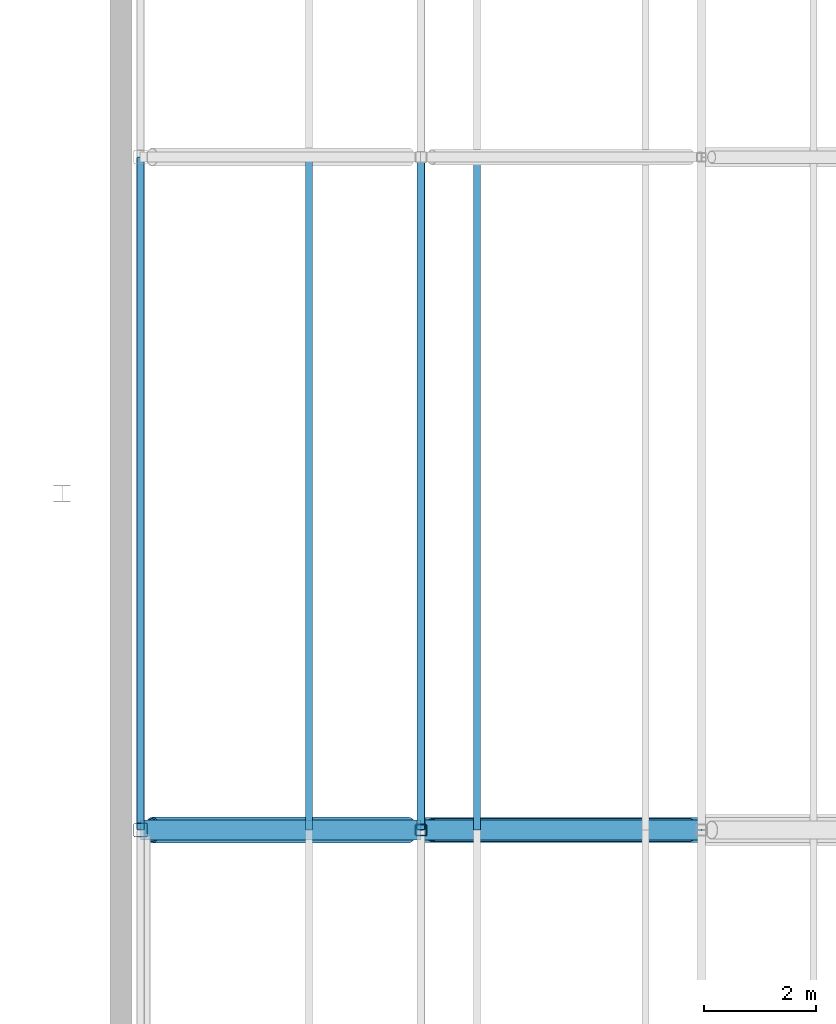
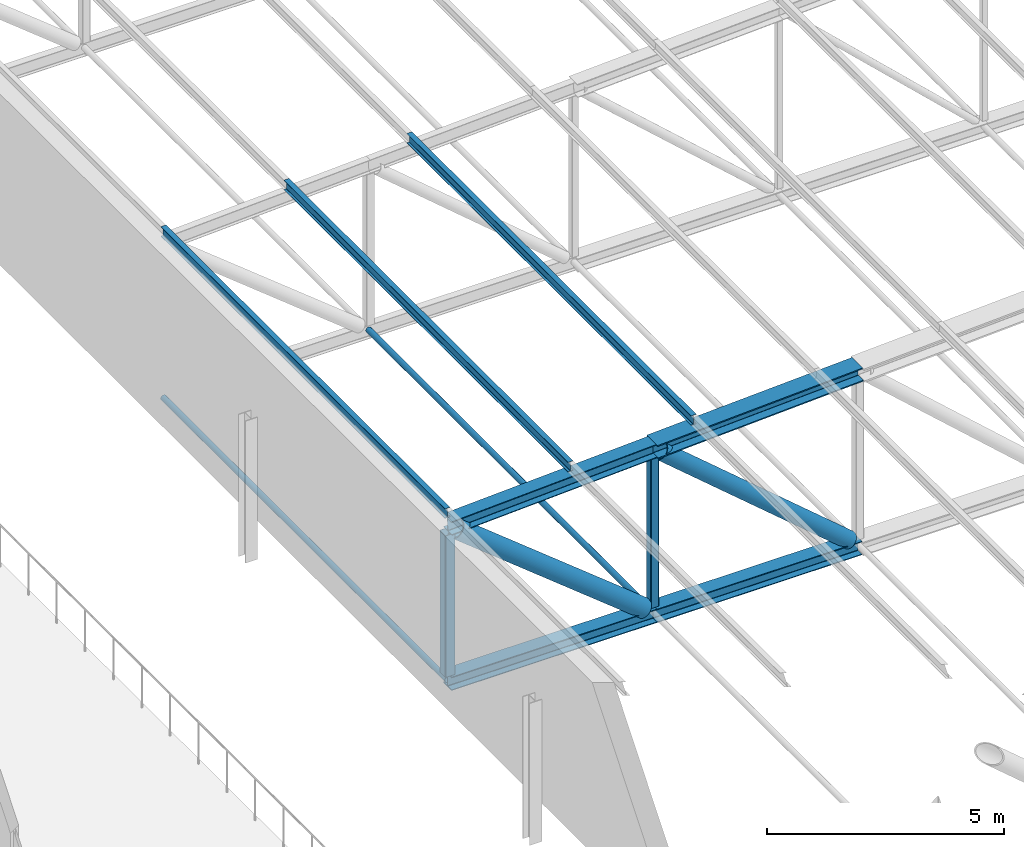
# One storey, part 66 of 156: 13 members.
"""IFC4 building model written with IfcOpenShell, lengths in metres."""

from ifc_helpers import new_model, si_unit, direction, frame, origin, origin_2d, place, context, subcontext, project, spatial, hollow_rectangle, hollow_circle, i_section, extrude, material, material_profile, profile_set, type_object, element, save


model = new_model("IFC4")

# Units and contexts
model_context = context("Model", 3, precision=1e-05, world=origin(), true_north=direction((0.0, 1.0)))
body_context = subcontext(model_context, "Body", "Model", "MODEL_VIEW")
ifc_project = project(units=[si_unit("LENGTHUNIT", "METRE"), si_unit("AREAUNIT", "SQUARE_METRE"), si_unit("VOLUMEUNIT", "CUBIC_METRE"), si_unit("PLANEANGLEUNIT", "RADIAN"), si_unit("MASSUNIT", "GRAM", prefix="KILO")], contexts=[model_context])

# Site, building, storey
site_placement = place(None, origin())
site = spatial("IfcSite", under=ifc_project, at=site_placement, CompositionType="ELEMENT")
building_placement = place(site_placement, origin())
building = spatial("IfcBuilding", under=site, at=building_placement, Name="Lilac Gate Convention Centre", CompositionType="ELEMENT")
storey_placement = place(building_placement, frame((0.0, 0.0, 17.0)))
storey = spatial("IfcBuildingStorey", under=building, at=storey_placement, Name="L03", CompositionType="ELEMENT", Elevation=17.0)

# Members
ifc_material = material(Name="Steel Q355B", Category="steel")
ifc_material_profile_1 = material_profile(ifc_material, hollow_circle(Radius=0.06982421875, WallThickness=0.0048828125, at=origin_2d()), Name="CHS139.7x5")
ifc_profile_set_1 = profile_set([ifc_material_profile_1], Name="Steel Q355B")
member_type_1 = type_object("IfcMemberType", Name="Bottom chord tie CHS139.7x5", PredefinedType="STRUT", material=ifc_profile_set_1)
for number, where, z_axis, x_axis, name in (
    (1, (30.0, 150.006103515625, 0.0), (0.0, 1.0, 0.0), (-1.0, 0.0, 0.0), "ST1 tie bay 11 node 1"),
    (2, (35.0, 150.006103515625, 0.0), (0.0, 1.0, 0.0), (-1.0, 0.0, 0.0), "ST1 tie bay 11 node 2"),
):
    element("IfcMember", number, at=place(storey_placement, frame(where, z_axis=z_axis, x_axis=x_axis)), inside=storey, type_object=member_type_1, Name=name, PredefinedType="STRUT", context=body_context, shape_type="SweptSolid", body=[
        extrude(hollow_circle(Radius=0.06982421875, WallThickness=0.0048828125, at=origin_2d()), origin(), (0.0, 0.0, 1.0), 11.990478515625),
    ])
ifc_material_profile_2 = material_profile(ifc_material, i_section(OverallWidth=0.125, OverallDepth=0.25, WebThickness=0.006103515625, FlangeThickness=0.009033203125, FilletRadius=0.008056640625, at=origin_2d()), Name="HN250x125x6x9")
ifc_profile_set_2 = profile_set([ifc_material_profile_2], Name="Steel Q355B")
member_type_2 = type_object("IfcMemberType", Name="Roof purlin HN250x125x6x9", PredefinedType="PURLIN", material=ifc_profile_set_2)
for number, where, z_axis, x_axis, name in (
    (3, (30.0, 150.0, 4.30029296875), (0.0, 1.0, 0.0), (-1.0, 0.0, 0.0), "PU2 purlin bay 11 line 1"),
    (4, (33.0, 150.0, 4.4501953125), (0.0, 1.0, 0.0), (-1.0, 0.0, 0.0), "PU2 purlin bay 11 line 2"),
    (5, (36.0, 150.0, 4.60009765625), (0.0, 1.0, 0.0), (-1.0, 0.0, 0.0), "PU2 purlin bay 11 line 3"),
):
    element("IfcMember", number, at=place(storey_placement, frame(where, z_axis=z_axis, x_axis=x_axis)), inside=storey, type_object=member_type_2, Name=name, PredefinedType="PURLIN", context=body_context, shape_type="SweptSolid", body=[
        extrude(i_section(OverallWidth=0.125, OverallDepth=0.25, WebThickness=0.006103515625, FlangeThickness=0.009033203125, FilletRadius=0.008056640625, at=origin_2d()), origin(), (0.0, 0.0, 1.0), 12.0),
    ])
ifc_material_profile_3 = material_profile(ifc_material, i_section(OverallWidth=0.35009765625, OverallDepth=0.35009765625, WebThickness=0.011962890625, FlangeThickness=0.01904296875, FilletRadius=0.012939453125, at=origin_2d()), Name="HW350x350x12x19")
ifc_profile_set_3 = profile_set([ifc_material_profile_3], Name="Steel Q355B")
member_type_3 = type_object("IfcMemberType", Name="Truss bottom chord HW350x350x12x19", PredefinedType="CHORD", material=ifc_profile_set_3)
member_1_placement = place(storey_placement, frame((30.0, 150.0, 0.0), z_axis=(1.0, 0.0, 0.0), x_axis=(0.0, 1.0, 0.0)))
element("IfcMember", 6, at=member_1_placement, inside=storey, type_object=member_type_3, Name="TB2 truss 11 bottom chord 1", PredefinedType="CHORD", context=body_context, shape_type="SweptSolid", body=[
    extrude(i_section(OverallWidth=0.35009765625, OverallDepth=0.35009765625, WebThickness=0.011962890625, FlangeThickness=0.01904296875, FilletRadius=0.012939453125, at=origin_2d()), origin(), (0.0, 0.0, 1.0), 5.0),
])
ifc_material_profile_4 = material_profile(ifc_material, i_section(OverallWidth=0.35693359375, OverallDepth=0.35009765625, WebThickness=0.01904296875, FlangeThickness=0.01904296875, FilletRadius=0.012939453125, at=origin_2d()), Name="HW350x357x19x19")
ifc_profile_set_4 = profile_set([ifc_material_profile_4], Name="Steel Q355B")
member_type_4 = type_object("IfcMemberType", Name="Truss bottom chord HW350x357x19x19", PredefinedType="CHORD", material=ifc_profile_set_4)
member_2_placement = place(storey_placement, frame((35.0, 150.0, 0.0), z_axis=(1.0, 0.0, 0.0), x_axis=(0.0, 1.0, 0.0)))
element("IfcMember", 7, at=member_2_placement, inside=storey, type_object=member_type_4, Name="TB3 truss 11 bottom chord 2", PredefinedType="CHORD", context=body_context, shape_type="SweptSolid", body=[
    extrude(i_section(OverallWidth=0.35693359375, OverallDepth=0.35009765625, WebThickness=0.01904296875, FlangeThickness=0.01904296875, FilletRadius=0.012939453125, at=origin_2d()), origin(), (0.0, 0.0, 1.0), 5.0),
])
ifc_material_profile_5 = material_profile(ifc_material, hollow_circle(Radius=0.203125, WallThickness=0.01611328125, at=origin_2d()), Name="CHS406.4x16")
ifc_profile_set_5 = profile_set([ifc_material_profile_5], Name="Steel Q355B")
member_type_5 = type_object("IfcMemberType", Name="Truss diagonal CHS406.4x16", PredefinedType="BRACE", material=ifc_profile_set_5)
member_3_placement = place(storey_placement, frame((35.193115234375, 150.0, 4.085693359375), z_axis=(0.761961263863, 0.0, -0.647622600263), x_axis=(0.0, 1.0, 0.0)))
element("IfcMember", 8, at=member_3_placement, inside=storey, type_object=member_type_5, Name="TW9 truss 11 diagonal 2", PredefinedType="BRACE", context=body_context, shape_type="SweptSolid", body=[
    extrude(hollow_circle(Radius=0.203125, WallThickness=0.01611328125, at=origin_2d()), origin(), (0.0, 0.0, 1.0), 6.03857421875),
])
ifc_material_profile_6 = material_profile(ifc_material, hollow_circle(Radius=0.228515625, WallThickness=0.02490234375, at=origin_2d()), Name="CHS457x25")
ifc_profile_set_6 = profile_set([ifc_material_profile_6], Name="Steel Q355B")
member_type_6 = type_object("IfcMemberType", Name="Truss diagonal CHS457x25", PredefinedType="BRACE", material=ifc_profile_set_6)
member_4_placement = place(storey_placement, frame((30.205322265625, 150.0, 3.835693359375), z_axis=(0.780876938611, 0.0, -0.624684885959), x_axis=(0.0, 1.0, 0.0)))
element("IfcMember", 9, at=member_4_placement, inside=storey, type_object=member_type_6, Name="TW8 truss 11 diagonal 1", PredefinedType="BRACE", context=body_context, shape_type="SweptSolid", body=[
    extrude(hollow_circle(Radius=0.228515625, WallThickness=0.02490234375, at=origin_2d()), origin(), (0.0, 0.0, 1.0), 5.860107421875),
])
ifc_material_profile_7 = material_profile(ifc_material, i_section(OverallWidth=0.35009765625, OverallDepth=0.35009765625, WebThickness=0.011962890625, FlangeThickness=0.01904296875, FilletRadius=0.012939453125, at=origin_2d()), Name="HW350x350x12x19")
ifc_profile_set_7 = profile_set([ifc_material_profile_7], Name="Steel Q355B")
member_type_7 = type_object("IfcMemberType", Name="Truss top chord HW350x350x12x19", PredefinedType="CHORD", material=ifc_profile_set_7)
member_5_placement = place(storey_placement, frame((30.0, 150.0, 4.0), z_axis=(0.998752338878, 0.0, 0.049937616944), x_axis=(0.0, 1.0, 0.0)))
element("IfcMember", 10, at=member_5_placement, inside=storey, type_object=member_type_7, Name="TT2 truss 11 top chord 1", PredefinedType="CHORD", context=body_context, shape_type="SweptSolid", body=[
    extrude(i_section(OverallWidth=0.35009765625, OverallDepth=0.35009765625, WebThickness=0.011962890625, FlangeThickness=0.01904296875, FilletRadius=0.012939453125, at=origin_2d()), origin(), (0.0, 0.0, 1.0), 5.00634765625),
])
ifc_material_profile_8 = material_profile(ifc_material, i_section(OverallWidth=0.449951171875, OverallDepth=0.35009765625, WebThickness=0.01611328125, FlangeThickness=0.028076171875, FilletRadius=0.008056640625, at=origin_2d()), Name="WH350x450x16x28")
ifc_profile_set_8 = profile_set([ifc_material_profile_8], Name="Steel Q355B")
member_type_8 = type_object("IfcMemberType", Name="Truss top chord WH350x450x16x28", PredefinedType="CHORD", material=ifc_profile_set_8)
member_6_placement = place(storey_placement, frame((35.0, 150.0, 4.25), z_axis=(0.998752338878, 0.0, 0.049937616944), x_axis=(0.0, 1.0, 0.0)))
element("IfcMember", 11, at=member_6_placement, inside=storey, type_object=member_type_8, Name="TT6 truss 11 top chord 2", PredefinedType="CHORD", context=body_context, shape_type="SweptSolid", body=[
    extrude(i_section(OverallWidth=0.449951171875, OverallDepth=0.35009765625, WebThickness=0.01611328125, FlangeThickness=0.028076171875, FilletRadius=0.008056640625, at=origin_2d()), origin(), (0.0, 0.0, 1.0), 5.00634765625),
])
ifc_material_profile_9 = material_profile(ifc_material, hollow_rectangle(XDim=0.199951171875, YDim=0.199951171875, WallThickness=0.008056640625, InnerFilletRadius=0.011962890625, OuterFilletRadius=0.02001953125, at=origin_2d()), Name="SHS200x200x8")
ifc_profile_set_9 = profile_set([ifc_material_profile_9], Name="Steel Q355B")
member_type_9 = type_object("IfcMemberType", Name="Truss vertical SHS200x200x8", PredefinedType="STRUT", material=ifc_profile_set_9)
member_7_placement = place(storey_placement, frame((35.0, 150.0, 0.175048828125), z_axis=(0.0, 0.0, 1.0), x_axis=(1.0, 0.0, 0.0)))
element("IfcMember", 12, at=member_7_placement, inside=storey, type_object=member_type_9, Name="TV2 truss 11 vertical 2", PredefinedType="STRUT", context=body_context, shape_type="SweptSolid", body=[
    extrude(hollow_rectangle(XDim=0.199951171875, YDim=0.199951171875, WallThickness=0.008056640625, InnerFilletRadius=0.011962890625, OuterFilletRadius=0.02001953125, at=origin_2d()), origin(), (0.0, 0.0, 1.0), 3.899658203125),
])
ifc_material_profile_10 = material_profile(ifc_material, hollow_rectangle(XDim=0.25, YDim=0.25, WallThickness=0.010009765625, InnerFilletRadius=0.014892578125, OuterFilletRadius=0.02490234375, at=origin_2d()), Name="SHS250x250x10")
ifc_profile_set_10 = profile_set([ifc_material_profile_10], Name="Steel Q355B")
member_type_10 = type_object("IfcMemberType", Name="Truss vertical SHS250x250x10", PredefinedType="STRUT", material=ifc_profile_set_10)
member_8_placement = place(storey_placement, frame((30.0, 150.0, 0.175048828125), z_axis=(0.0, 0.0, 1.0), x_axis=(1.0, 0.0, 0.0)))
element("IfcMember", 13, at=member_8_placement, inside=storey, type_object=member_type_10, Name="TV1 truss 11 vertical 1", PredefinedType="STRUT", context=body_context, shape_type="SweptSolid", body=[
    extrude(hollow_rectangle(XDim=0.25, YDim=0.25, WallThickness=0.010009765625, InnerFilletRadius=0.014892578125, OuterFilletRadius=0.02490234375, at=origin_2d()), origin(), (0.0, 0.0, 1.0), 3.649658203125),
])

save(model, "model.ifc")
